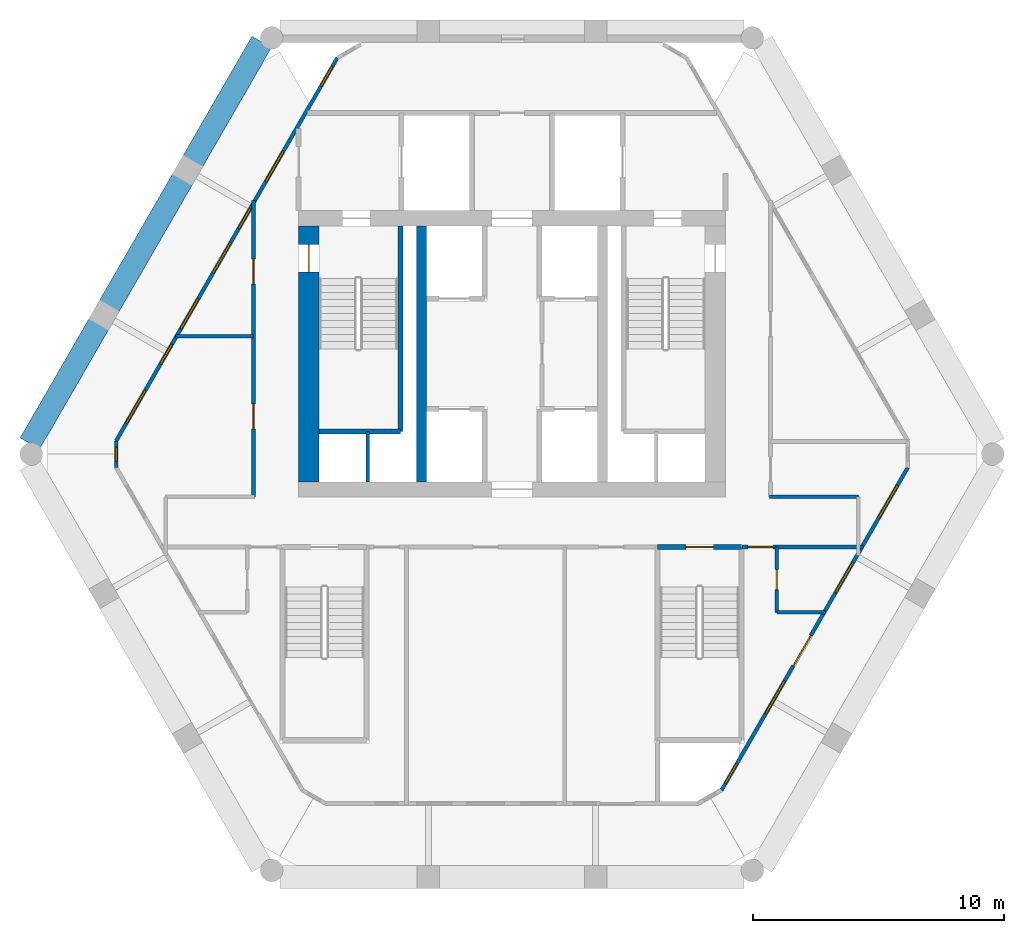
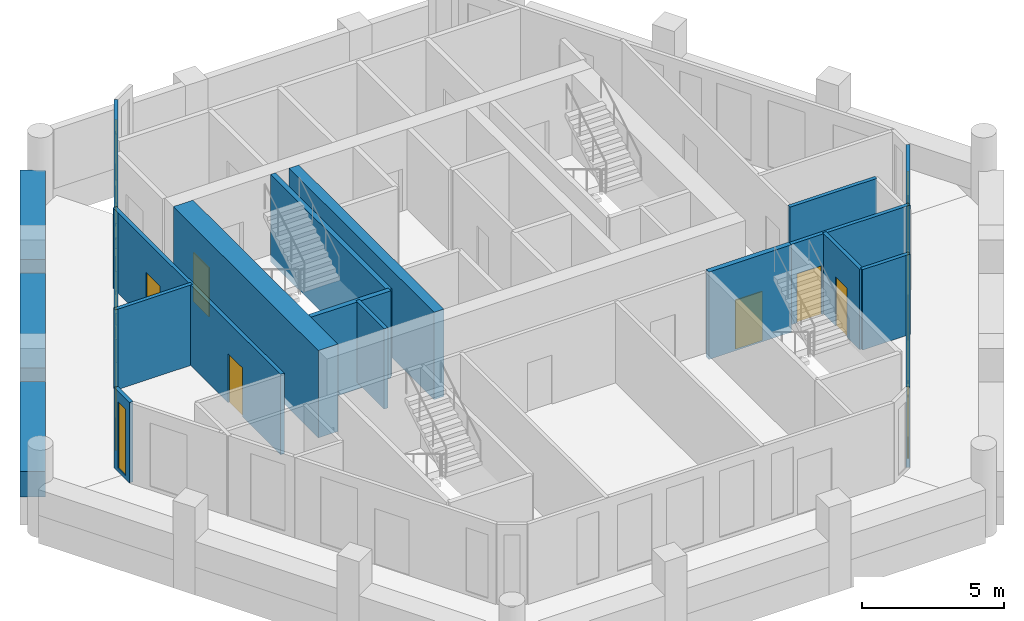
# One storey, part 3 of 6: 18 walls, 12 windows, 7 doors, 19 openings.
"""IFC4 building model written with IfcOpenShell, lengths in metres."""

from ifc_helpers import new_model, si_unit, direction, frame, frame_2d, origin, place, context, subcontext, project, spatial, rectangle, extrude, material, layer, layer_set, type_object, element, fill, save


model = new_model("IFC4")

# Units and contexts
model_context = context("Model", 3, precision=1e-05, world=origin(), true_north=direction((0.0, 1.0)))
body_context = subcontext(model_context, "Body", "Model", "MODEL_VIEW")
ifc_project = project(units=[si_unit("LENGTHUNIT", "METRE"), si_unit("AREAUNIT", "SQUARE_METRE"), si_unit("VOLUMEUNIT", "CUBIC_METRE"), si_unit("PLANEANGLEUNIT", "RADIAN"), si_unit("MASSUNIT", "GRAM", prefix="KILO")], contexts=[model_context])

# Site, building, storey
site_placement = place(None, origin())
site = spatial("IfcSite", under=ifc_project, at=site_placement, CompositionType="ELEMENT")
building_placement = place(site_placement, origin())
building = spatial("IfcBuilding", under=site, at=building_placement, Name="Ostrander Bayou Hotel Tower", CompositionType="ELEMENT")
storey_placement = place(building_placement, frame((0.0, 0.0, 218.25)))
storey = spatial("IfcBuildingStorey", under=building, at=storey_placement, Name="L54", CompositionType="ELEMENT", Elevation=218.25)

# Wall, opening, door
ifc_material_1 = material(Name="Concrete f'c 60 MPa", Category="concrete")
ifc_layer_1 = layer(ifc_material_1, 0.800048828125)
ifc_layer_set_1 = layer_set([ifc_layer_1], Name="CW11 core spine wall 800 mm f'c 60 MPa")
wall_type_1 = type_object("IfcWallType", Name="CW11 core spine wall 800 mm f'c 60 MPa", PredefinedType="SHEAR", material=ifc_layer_set_1)
wall_1_placement = place(storey_placement, frame((-8.10009765625, -1.10009765625, -0.300048828125), z_axis=(0.0, 0.0, 1.0), x_axis=(0.0, 1.0, 0.0)))
wall_1 = element("IfcWall", 1, at=wall_1_placement, inside=storey, type_object=wall_type_1, Name="CW11 L54 W", PredefinedType="SHEAR", context=body_context, shape_type="SweptSolid", body=[
    extrude(rectangle(XDim=10.2001953125, YDim=0.800048828125, at=frame_2d((5.10009765625, 0.0))), origin(), (0.0, 0.0, 1.0), 3.75),
])
opening_1_placement = place(wall_1_placement, frame((8.35009765625, 0.0, 0.0)))
opening_1 = element("IfcOpeningElement", 2, at=opening_1_placement, cuts=wall_1, Name="Opening T53-008", PredefinedType="OPENING", context=body_context, shape_type="SweptSolid", body=[
    extrude(rectangle(XDim=1.10009765625, YDim=2.10009765625, at=frame_2d((0.550048828125, 1.050048828125))), frame((0.0, 0.39990234375, 0.0), z_axis=(0.0, -1.0, 0.0), x_axis=(1.0, 0.0, 0.0)), (0.0, 0.0, 1.0), 0.800048828125),
])
ifc_material_2 = material(Name="Timber door leaf", Category="wood")
door_type_1 = type_object("IfcDoorType", Name="D5 stair door 1100 x 2100 mm, 90 minute", OperationType="SINGLE_SWING_LEFT", PredefinedType="DOOR", material=ifc_material_2)
door_1_placement = place(opening_1_placement, origin())
door_1 = element("IfcDoor", 3, at=door_1_placement, inside=storey, type_object=door_type_1, Name="dr:L54:008", OperationType="SINGLE_SWING_RIGHT", OverallHeight=2.10009765625, OverallWidth=1.10009765625, PredefinedType="DOOR", context=body_context, shape_type="SweptSolid", body=[
    extrude(rectangle(XDim=1.10009765625, YDim=2.10009765625, at=frame_2d((0.550048828125, 1.050048828125))), frame((0.0, 0.02490234375, 0.0), z_axis=(0.0, -1.0, 0.0), x_axis=(1.0, 0.0, 0.0)), (0.0, 0.0, 1.0), 0.050048828125),
])
fill(opening_1, door_1)

# Wall
ifc_material_3 = material(Name="Concrete f'c 60 MPa", Category="concrete")
ifc_layer_2 = layer(ifc_material_3, 0.39990234375)
ifc_layer_set_2 = layer_set([ifc_layer_2], Name="CW12 core bank wall 400 mm f'c 60 MPa")
wall_type_2 = type_object("IfcWallType", Name="CW12 core bank wall 400 mm f'c 60 MPa", PredefinedType="SHEAR", material=ifc_layer_set_2)
wall_2_placement = place(storey_placement, frame((-3.60009765625, -1.10009765625, -0.300048828125), z_axis=(0.0, 0.0, 1.0), x_axis=(0.0, 1.0, 0.0)))
element("IfcWall", 4, at=wall_2_placement, inside=storey, type_object=wall_type_2, Name="CW12 L54 CW", PredefinedType="SHEAR", context=body_context, shape_type="SweptSolid", body=[
    extrude(rectangle(XDim=10.2001953125, YDim=0.39990234375, at=frame_2d((5.10009765625, 0.0))), origin(), (0.0, 0.0, 1.0), 3.75),
])

# Wall, openings, windows
ifc_material_4 = material(Name="Aluminium framed insulated wall", Category="aluminium")
ifc_layer_3 = layer(ifc_material_4, 0.14990234375)
ifc_layer_set_3 = layer_set([ifc_layer_3], Name="GW1 glass-line wall 150 mm")
wall_type_3 = type_object("IfcWallType", Name="GW1 glass-line wall 150 mm", PredefinedType="SOLIDWALL", material=ifc_layer_set_3)
wall_3_placement = place(storey_placement, frame((-6.96142578125, 15.79248046875, 0.0), z_axis=(0.0, 0.0, 1.0), x_axis=(-0.49999710518, -0.866027075103, 0.0)))
wall_3 = element("IfcWall", 5, at=wall_3_placement, inside=storey, type_object=wall_type_3, Name="GW1 L54 NW 1", PredefinedType="SOLIDWALL", context=body_context, shape_type="SweptSolid", body=[
    extrude(rectangle(XDim=17.62060546875, YDim=0.14990234375, at=frame_2d((8.810302734375, 0.0))), origin(), (0.0, 0.0, 1.0), 3.449951171875),
])
opening_2_placement = place(wall_3_placement, frame((4.2958984375, 0.0, 0.14990234375)))
opening_2 = element("IfcOpeningElement", 6, at=opening_2_placement, cuts=wall_3, Name="Opening W14", PredefinedType="OPENING", context=body_context, shape_type="SweptSolid", body=[
    extrude(rectangle(XDim=1.39990234375, YDim=2.85009765625, at=frame_2d((0.699951171875, 1.425048828125))), frame((0.0, 0.074951171875, 0.0), z_axis=(0.0, -1.0, 0.0), x_axis=(1.0, 0.0, 0.0)), (0.0, 0.0, 1.0), 0.14990234375),
])
opening_3_placement = place(wall_3_placement, frame((6.94921875, 0.0, 0.14990234375)))
opening_3 = element("IfcOpeningElement", 7, at=opening_3_placement, cuts=wall_3, Name="Opening W18", PredefinedType="OPENING", context=body_context, shape_type="SweptSolid", body=[
    extrude(rectangle(XDim=0.89990234375, YDim=2.85009765625, at=frame_2d((0.449951171875, 1.425048828125))), frame((0.0, 0.074951171875, 0.0), z_axis=(0.0, -1.0, 0.0), x_axis=(1.0, 0.0, 0.0)), (0.0, 0.0, 1.0), 0.14990234375),
])
opening_4_placement = place(wall_3_placement, frame((8.49609375, 0.0, 0.14990234375)))
opening_4 = element("IfcOpeningElement", 8, at=opening_4_placement, cuts=wall_3, Name="Opening W14", PredefinedType="OPENING", context=body_context, shape_type="SweptSolid", body=[
    extrude(rectangle(XDim=1.39990234375, YDim=2.85009765625, at=frame_2d((0.699951171875, 1.425048828125))), frame((0.0, 0.074951171875, 0.0), z_axis=(0.0, -1.0, 0.0), x_axis=(1.0, 0.0, 0.0)), (0.0, 0.0, 1.0), 0.14990234375),
])
opening_5_placement = place(wall_3_placement, frame((13.184814453125, 0.0, 0.14990234375)))
opening_5 = element("IfcOpeningElement", 9, at=opening_5_placement, cuts=wall_3, Name="Opening W18", PredefinedType="OPENING", context=body_context, shape_type="SweptSolid", body=[
    extrude(rectangle(XDim=0.89990234375, YDim=2.85009765625, at=frame_2d((0.449951171875, 1.425048828125))), frame((0.0, 0.074951171875, 0.0), z_axis=(0.0, -1.0, 0.0), x_axis=(1.0, 0.0, 0.0)), (0.0, 0.0, 1.0), 0.14990234375),
])
opening_6_placement = place(wall_3_placement, frame((11.084716796875, 0.0, 0.14990234375)))
opening_6 = element("IfcOpeningElement", 10, at=opening_6_placement, cuts=wall_3, Name="Opening W14", PredefinedType="OPENING", context=body_context, shape_type="SweptSolid", body=[
    extrude(rectangle(XDim=1.39990234375, YDim=2.85009765625, at=frame_2d((0.699951171875, 1.425048828125))), frame((0.0, 0.074951171875, 0.0), z_axis=(0.0, -1.0, 0.0), x_axis=(1.0, 0.0, 0.0)), (0.0, 0.0, 1.0), 0.14990234375),
])
opening_7_placement = place(wall_3_placement, frame((0.39794921875, 0.0, 0.14990234375)))
opening_7 = element("IfcOpeningElement", 11, at=opening_7_placement, cuts=wall_3, Name="Opening W18", PredefinedType="OPENING", context=body_context, shape_type="SweptSolid", body=[
    extrude(rectangle(XDim=0.89990234375, YDim=2.72998046875, at=frame_2d((0.449951171875, 1.364990234375))), frame((0.0, 0.074951171875, 0.0), z_axis=(0.0, -1.0, 0.0), x_axis=(1.0, 0.0, 0.0)), (0.0, 0.0, 1.0), 0.14990234375),
])
opening_8_placement = place(wall_3_placement, frame((15.308349609375, 0.0, 0.14990234375)))
opening_8 = element("IfcOpeningElement", 12, at=opening_8_placement, cuts=wall_3, Name="Opening W4", PredefinedType="OPENING", context=body_context, shape_type="SweptSolid", body=[
    extrude(rectangle(XDim=1.5, YDim=2.72998046875, at=frame_2d((0.75, 1.364990234375))), frame((0.0, 0.074951171875, 0.0), z_axis=(0.0, -1.0, 0.0), x_axis=(1.0, 0.0, 0.0)), (0.0, 0.0, 1.0), 0.14990234375),
])
ifc_material_5 = material(Name="Aluminium and clear glass", Category="aluminium")
window_type_1 = type_object("IfcWindowType", Name="W14 fixed window 1400 mm, bath bay, zone 4", PartitioningType="SINGLE_PANEL", PredefinedType="WINDOW", material=ifc_material_5)
window_1_placement = place(opening_2_placement, origin())
window_1 = element("IfcWindow", 13, at=window_1_placement, inside=storey, type_object=window_type_1, Name="W14 L54 NW 1", OverallHeight=2.85009765625, OverallWidth=1.39990234375, PartitioningType="SINGLE_PANEL", PredefinedType="WINDOW", context=body_context, shape_type="SweptSolid", body=[
    extrude(rectangle(XDim=1.39990234375, YDim=2.85009765625, at=frame_2d((0.699951171875, 1.425048828125))), frame((0.0, 0.030029296875, 0.0), z_axis=(0.0, -1.0, 0.0), x_axis=(1.0, 0.0, 0.0)), (0.0, 0.0, 1.0), 0.06005859375),
])
fill(opening_2, window_1)
window_2_placement = place(opening_4_placement, origin())
window_2 = element("IfcWindow", 14, at=window_2_placement, inside=storey, type_object=window_type_1, Name="W14 L54 NW 2", OverallHeight=2.85009765625, OverallWidth=1.39990234375, PartitioningType="SINGLE_PANEL", PredefinedType="WINDOW", context=body_context, shape_type="SweptSolid", body=[
    extrude(rectangle(XDim=1.39990234375, YDim=2.85009765625, at=frame_2d((0.699951171875, 1.425048828125))), frame((0.0, 0.030029296875, 0.0), z_axis=(0.0, -1.0, 0.0), x_axis=(1.0, 0.0, 0.0)), (0.0, 0.0, 1.0), 0.06005859375),
])
fill(opening_4, window_2)
window_3_placement = place(opening_6_placement, origin())
window_3 = element("IfcWindow", 15, at=window_3_placement, inside=storey, type_object=window_type_1, Name="W14 L54 NW 3", OverallHeight=2.85009765625, OverallWidth=1.39990234375, PartitioningType="SINGLE_PANEL", PredefinedType="WINDOW", context=body_context, shape_type="SweptSolid", body=[
    extrude(rectangle(XDim=1.39990234375, YDim=2.85009765625, at=frame_2d((0.699951171875, 1.425048828125))), frame((0.0, 0.030029296875, 0.0), z_axis=(0.0, -1.0, 0.0), x_axis=(1.0, 0.0, 0.0)), (0.0, 0.0, 1.0), 0.06005859375),
])
fill(opening_6, window_3)
ifc_material_6 = material(Name="Aluminium and clear glass", Category="aluminium")
window_type_2 = type_object("IfcWindowType", Name="W18 window 900 mm, zone 4", PartitioningType="SINGLE_PANEL", PredefinedType="WINDOW", material=ifc_material_6)
window_4_placement = place(opening_3_placement, origin())
window_4 = element("IfcWindow", 16, at=window_4_placement, inside=storey, type_object=window_type_2, Name="W18 L54 NW 2", OverallHeight=2.85009765625, OverallWidth=0.89990234375, PartitioningType="SINGLE_PANEL", PredefinedType="WINDOW", context=body_context, shape_type="SweptSolid", body=[
    extrude(rectangle(XDim=0.89990234375, YDim=2.85009765625, at=frame_2d((0.449951171875, 1.425048828125))), frame((0.0, 0.030029296875, 0.0), z_axis=(0.0, -1.0, 0.0), x_axis=(1.0, 0.0, 0.0)), (0.0, 0.0, 1.0), 0.06005859375),
])
fill(opening_3, window_4)
window_5_placement = place(opening_5_placement, origin())
window_5 = element("IfcWindow", 17, at=window_5_placement, inside=storey, type_object=window_type_2, Name="W18 L54 NW 3", OverallHeight=2.85009765625, OverallWidth=0.89990234375, PartitioningType="SINGLE_PANEL", PredefinedType="WINDOW", context=body_context, shape_type="SweptSolid", body=[
    extrude(rectangle(XDim=0.89990234375, YDim=2.85009765625, at=frame_2d((0.449951171875, 1.425048828125))), frame((0.0, 0.030029296875, 0.0), z_axis=(0.0, -1.0, 0.0), x_axis=(1.0, 0.0, 0.0)), (0.0, 0.0, 1.0), 0.06005859375),
])
fill(opening_5, window_5)
window_6_placement = place(opening_7_placement, origin())
window_6 = element("IfcWindow", 18, at=window_6_placement, inside=storey, type_object=window_type_2, Name="W18 L54 NW E11", OverallHeight=2.72998046875, OverallWidth=0.89990234375, PartitioningType="SINGLE_PANEL", PredefinedType="WINDOW", context=body_context, shape_type="SweptSolid", body=[
    extrude(rectangle(XDim=0.89990234375, YDim=2.72998046875, at=frame_2d((0.449951171875, 1.364990234375))), frame((0.0, 0.030029296875, 0.0), z_axis=(0.0, -1.0, 0.0), x_axis=(1.0, 0.0, 0.0)), (0.0, 0.0, 1.0), 0.06005859375),
])
fill(opening_7, window_6)
ifc_material_7 = material(Name="Aluminium and clear glass", Category="aluminium")
window_type_3 = type_object("IfcWindowType", Name="W4 fixed window 1500 mm, zone 4", PartitioningType="SINGLE_PANEL", PredefinedType="WINDOW", material=ifc_material_7)
window_7_placement = place(opening_8_placement, origin())
window_7 = element("IfcWindow", 19, at=window_7_placement, inside=storey, type_object=window_type_3, Name="W4 L54 NW E21", OverallHeight=2.72998046875, OverallWidth=1.5, PartitioningType="SINGLE_PANEL", PredefinedType="WINDOW", context=body_context, shape_type="SweptSolid", body=[
    extrude(rectangle(XDim=1.5, YDim=2.72998046875, at=frame_2d((0.75, 1.364990234375))), frame((0.0, 0.030029296875, 0.0), z_axis=(0.0, -1.0, 0.0), x_axis=(1.0, 0.0, 0.0)), (0.0, 0.0, 1.0), 0.06005859375),
])
fill(opening_8, window_7)

# Wall, openings, door, windows
wall_4_placement = place(storey_placement, frame((8.346923828125, -13.392578125, 0.0), z_axis=(0.0, 0.0, 1.0), x_axis=(0.500000919504, 0.866024872908, 0.0)))
wall_4 = element("IfcWall", 20, at=wall_4_placement, inside=storey, type_object=wall_type_3, Name="GW1 L54 SE 1", PredefinedType="SOLIDWALL", context=body_context, shape_type="SweptSolid", body=[
    extrude(rectangle(XDim=14.849609375, YDim=0.14990234375, at=frame_2d((7.4248046875, 0.0))), origin(), (0.0, 0.0, 1.0), 3.449951171875),
])
opening_9_placement = place(wall_4_placement, frame((3.524658203125, 0.0, 0.14990234375)))
opening_9 = element("IfcOpeningElement", 21, at=opening_9_placement, cuts=wall_4, Name="Opening W4", PredefinedType="OPENING", context=body_context, shape_type="SweptSolid", body=[
    extrude(rectangle(XDim=1.5, YDim=2.85009765625, at=frame_2d((0.75, 1.425048828125))), frame((0.0, 0.074951171875, 0.0), z_axis=(0.0, -1.0, 0.0), x_axis=(1.0, 0.0, 0.0)), (0.0, 0.0, 1.0), 0.14990234375),
])
opening_10_placement = place(wall_4_placement, frame((5.724609375, 0.0, 0.0)))
opening_10 = element("IfcOpeningElement", 22, at=opening_10_placement, cuts=wall_4, Name="Opening T53-802", PredefinedType="OPENING", context=body_context, shape_type="SweptSolid", body=[
    extrude(rectangle(XDim=1.39990234375, YDim=2.39990234375, at=frame_2d((0.699951171875, 1.199951171875))), frame((0.0, 0.074951171875, 0.0), z_axis=(0.0, -1.0, 0.0), x_axis=(1.0, 0.0, 0.0)), (0.0, 0.0, 1.0), 0.14990234375),
])
opening_11_placement = place(wall_4_placement, frame((9.07763671875, 0.0, 0.14990234375)))
opening_11 = element("IfcOpeningElement", 23, at=opening_11_placement, cuts=wall_4, Name="Opening W14", PredefinedType="OPENING", context=body_context, shape_type="SweptSolid", body=[
    extrude(rectangle(XDim=1.39990234375, YDim=2.85009765625, at=frame_2d((0.699951171875, 1.425048828125))), frame((0.0, 0.074951171875, 0.0), z_axis=(0.0, -1.0, 0.0), x_axis=(1.0, 0.0, 0.0)), (0.0, 0.0, 1.0), 0.14990234375),
])
opening_12_placement = place(wall_4_placement, frame((0.31787109375, 0.0, 0.14990234375)))
opening_12 = element("IfcOpeningElement", 24, at=opening_12_placement, cuts=wall_4, Name="Opening W18", PredefinedType="OPENING", context=body_context, shape_type="SweptSolid", body=[
    extrude(rectangle(XDim=0.89990234375, YDim=2.72998046875, at=frame_2d((0.449951171875, 1.364990234375))), frame((0.0, 0.074951171875, 0.0), z_axis=(0.0, -1.0, 0.0), x_axis=(1.0, 0.0, 0.0)), (0.0, 0.0, 1.0), 0.14990234375),
])
opening_13_placement = place(wall_4_placement, frame((12.537109375, 0.0, 0.14990234375)))
opening_13 = element("IfcOpeningElement", 25, at=opening_13_placement, cuts=wall_4, Name="Opening W4", PredefinedType="OPENING", context=body_context, shape_type="SweptSolid", body=[
    extrude(rectangle(XDim=1.5, YDim=2.72998046875, at=frame_2d((0.75, 1.364990234375))), frame((0.0, 0.074951171875, 0.0), z_axis=(0.0, -1.0, 0.0), x_axis=(1.0, 0.0, 0.0)), (0.0, 0.0, 1.0), 0.14990234375),
])
ifc_material_8 = material(Name="Aluminium and clear glass", Category="aluminium")
door_type_2 = type_object("IfcDoorType", Name="SD4 sliding glass door 1400 mm, zone 4", OperationType="SLIDING_TO_LEFT", PredefinedType="DOOR", material=ifc_material_8)
door_2_placement = place(opening_10_placement, origin())
door_2 = element("IfcDoor", 26, at=door_2_placement, inside=storey, type_object=door_type_2, Name="SD4 L54 SE 1", OperationType="SLIDING_TO_LEFT", OverallHeight=2.39990234375, OverallWidth=1.39990234375, PredefinedType="DOOR", context=body_context, shape_type="SweptSolid", body=[
    extrude(rectangle(XDim=1.39990234375, YDim=2.39990234375, at=frame_2d((0.699951171875, 1.199951171875))), frame((0.0, 0.02490234375, 0.0), z_axis=(0.0, -1.0, 0.0), x_axis=(1.0, 0.0, 0.0)), (0.0, 0.0, 1.0), 0.050048828125),
])
fill(opening_10, door_2)
window_8_placement = place(opening_11_placement, origin())
window_8 = element("IfcWindow", 27, at=window_8_placement, inside=storey, type_object=window_type_1, Name="W14 L54 SE 2", OverallHeight=2.85009765625, OverallWidth=1.39990234375, PartitioningType="SINGLE_PANEL", PredefinedType="WINDOW", context=body_context, shape_type="SweptSolid", body=[
    extrude(rectangle(XDim=1.39990234375, YDim=2.85009765625, at=frame_2d((0.699951171875, 1.425048828125))), frame((0.0, 0.030029296875, 0.0), z_axis=(0.0, -1.0, 0.0), x_axis=(1.0, 0.0, 0.0)), (0.0, 0.0, 1.0), 0.06005859375),
])
fill(opening_11, window_8)
window_9_placement = place(opening_12_placement, origin())
window_9 = element("IfcWindow", 28, at=window_9_placement, inside=storey, type_object=window_type_2, Name="W18 L54 SE E11", OverallHeight=2.72998046875, OverallWidth=0.89990234375, PartitioningType="SINGLE_PANEL", PredefinedType="WINDOW", context=body_context, shape_type="SweptSolid", body=[
    extrude(rectangle(XDim=0.89990234375, YDim=2.72998046875, at=frame_2d((0.449951171875, 1.364990234375))), frame((0.0, 0.030029296875, 0.0), z_axis=(0.0, -1.0, 0.0), x_axis=(1.0, 0.0, 0.0)), (0.0, 0.0, 1.0), 0.06005859375),
])
fill(opening_12, window_9)
window_10_placement = place(opening_9_placement, origin())
window_10 = element("IfcWindow", 29, at=window_10_placement, inside=storey, type_object=window_type_3, Name="W4 L54 SE 1", OverallHeight=2.85009765625, OverallWidth=1.5, PartitioningType="SINGLE_PANEL", PredefinedType="WINDOW", context=body_context, shape_type="SweptSolid", body=[
    extrude(rectangle(XDim=1.5, YDim=2.85009765625, at=frame_2d((0.75, 1.425048828125))), frame((0.0, 0.030029296875, 0.0), z_axis=(0.0, -1.0, 0.0), x_axis=(1.0, 0.0, 0.0)), (0.0, 0.0, 1.0), 0.06005859375),
])
fill(opening_9, window_10)
window_11_placement = place(opening_13_placement, origin())
window_11 = element("IfcWindow", 30, at=window_11_placement, inside=storey, type_object=window_type_3, Name="W4 L54 SE E21", OverallHeight=2.72998046875, OverallWidth=1.5, PartitioningType="SINGLE_PANEL", PredefinedType="WINDOW", context=body_context, shape_type="SweptSolid", body=[
    extrude(rectangle(XDim=1.5, YDim=2.72998046875, at=frame_2d((0.75, 1.364990234375))), frame((0.0, 0.030029296875, 0.0), z_axis=(0.0, -1.0, 0.0), x_axis=(1.0, 0.0, 0.0)), (0.0, 0.0, 1.0), 0.06005859375),
])
fill(opening_13, window_11)

# Wall, opening, window
wall_5_placement = place(storey_placement, frame((-15.771728515625, 0.532470703125, 0.0), z_axis=(0.0, 0.0, 1.0), x_axis=(0.0, -1.0, 0.0)))
wall_5 = element("IfcWall", 31, at=wall_5_placement, inside=storey, type_object=wall_type_3, Name="GW1 L54 corner 2", PredefinedType="SOLIDWALL", context=body_context, shape_type="SweptSolid", body=[
    extrude(rectangle(XDim=1.06494140625, YDim=0.14990234375, at=frame_2d((0.532470703125, 0.0))), origin(), (0.0, 0.0, 1.0), 3.449951171875),
])
opening_14_placement = place(wall_5_placement, frame((0.257568359375, 0.0, 0.14990234375)))
opening_14 = element("IfcOpeningElement", 32, at=opening_14_placement, cuts=wall_5, Name="Opening W19", PredefinedType="OPENING", context=body_context, shape_type="SweptSolid", body=[
    extrude(rectangle(XDim=0.550048828125, YDim=2.85009765625, at=frame_2d((0.27490234375, 1.425048828125))), frame((0.0, 0.074951171875, 0.0), z_axis=(0.0, -1.0, 0.0), x_axis=(1.0, 0.0, 0.0)), (0.0, 0.0, 1.0), 0.14990234375),
])
ifc_material_9 = material(Name="Aluminium and clear glass", Category="aluminium")
window_type_4 = type_object("IfcWindowType", Name="W19 corner window 550 mm", PartitioningType="SINGLE_PANEL", PredefinedType="WINDOW", material=ifc_material_9)
window_12_placement = place(opening_14_placement, origin())
window_12 = element("IfcWindow", 33, at=window_12_placement, inside=storey, type_object=window_type_4, Name="W19 L54 corner 2", OverallHeight=2.85009765625, OverallWidth=0.550048828125, PartitioningType="SINGLE_PANEL", PredefinedType="WINDOW", context=body_context, shape_type="SweptSolid", body=[
    extrude(rectangle(XDim=0.550048828125, YDim=2.85009765625, at=frame_2d((0.27490234375, 1.425048828125))), frame((0.0, 0.030029296875, 0.0), z_axis=(0.0, -1.0, 0.0), x_axis=(1.0, 0.0, 0.0)), (0.0, 0.0, 1.0), 0.06005859375),
])
fill(opening_14, window_12)

# Walls
ifc_material_10 = material(Name="Concrete f'c 40 MPa", Category="concrete")
ifc_layer_4 = layer(ifc_material_10, 0.89990234375)
ifc_layer_set_4 = layer_set([ifc_layer_4], Name="PA1 stone-faced parapet 900 mm")
wall_type_4 = type_object("IfcWallType", Name="PA1 stone-faced parapet 900 mm", PredefinedType="PARAPET", material=ifc_layer_set_4)
wall_6_placement = place(storey_placement, frame((-9.971923828125, 16.427978515625, 0.0), z_axis=(0.0, 0.0, 1.0), x_axis=(-0.50000722722, -0.866021231107, 0.0)))
element("IfcWall", 34, at=wall_6_placement, inside=storey, type_object=wall_type_4, Name="PA1 L54 NW-1", PredefinedType="PARAPET", context=body_context, shape_type="SweptSolid", body=[
    extrude(rectangle(XDim=5.49169921875, YDim=0.89990234375, at=frame_2d((2.745849609375, 0.0))), origin(), (0.0, 0.0, 1.0), 1.10009765625),
])
wall_7_placement = place(storey_placement, frame((-13.1376953125, 10.944580078125, 0.0), z_axis=(0.0, 0.0, 1.0), x_axis=(-0.500015433515, -0.866016493057, 0.0)))
element("IfcWall", 35, at=wall_7_placement, inside=storey, type_object=wall_type_4, Name="PA1 L54 NW-2", PredefinedType="PARAPET", context=body_context, shape_type="SweptSolid", body=[
    extrude(rectangle(XDim=5.818603515625, YDim=0.89990234375, at=frame_2d((2.9091796875, 0.0))), origin(), (0.0, 0.0, 1.0), 1.10009765625),
])
wall_8_placement = place(storey_placement, frame((-16.46728515625, 5.177978515625, 0.0), z_axis=(0.0, 0.0, 1.0), x_axis=(-0.50000722722, -0.866021231107, 0.0)))
element("IfcWall", 36, at=wall_8_placement, inside=storey, type_object=wall_type_4, Name="PA1 L54 NW-3", PredefinedType="PARAPET", context=body_context, shape_type="SweptSolid", body=[
    extrude(rectangle(XDim=5.49169921875, YDim=0.89990234375, at=frame_2d((2.745849609375, 0.0))), origin(), (0.0, 0.0, 1.0), 1.10009765625),
])
ifc_material_11 = material(Name="Gypsum board partition", Category="finish")
ifc_layer_5 = layer(ifc_material_11, 0.14990234375)
ifc_layer_set_5 = layer_set([ifc_layer_5], Name="PT7 riser wall 150 mm, 2 hour")
wall_type_5 = type_object("IfcWallType", Name="PT7 riser wall 150 mm, 2 hour", PredefinedType="PARTITIONING", material=ifc_layer_set_5)
wall_9_placement = place(storey_placement, frame((-5.75, -1.10009765625, 0.0), z_axis=(0.0, 0.0, 1.0), x_axis=(0.0, 1.0, 0.0)))
element("IfcWall", 37, at=wall_9_placement, inside=storey, type_object=wall_type_5, Name="cs:L54:011", PredefinedType="PARTITIONING", context=body_context, shape_type="SweptSolid", body=[
    extrude(rectangle(XDim=2.0, YDim=0.14990234375, at=frame_2d((1.0, 0.0))), origin(), (0.0, 0.0, 1.0), 3.449951171875),
])
ifc_material_12 = material(Name="Gypsum board partition", Category="finish")
ifc_layer_6 = layer(ifc_material_12, 0.14990234375)
ifc_layer_set_6 = layer_set([ifc_layer_6], Name="PT8 service band wall 150 mm, 1 hour")
wall_type_6 = type_object("IfcWallType", Name="PT8 service band wall 150 mm, 1 hour", PredefinedType="PARTITIONING", material=ifc_layer_set_6)
wall_10_placement = place(storey_placement, frame((10.550048828125, -6.300048828125, 0.0), z_axis=(0.0, 0.0, 1.0), x_axis=(1.0, 0.0, 0.0)))
element("IfcWall", 38, at=wall_10_placement, inside=storey, type_object=wall_type_6, Name="gw:L54:002", PredefinedType="PARTITIONING", context=body_context, shape_type="SweptSolid", body=[
    extrude(rectangle(XDim=1.94384765625, YDim=0.14990234375, at=frame_2d((0.971923828125, 0.0))), origin(), (0.0, 0.0, 1.0), 3.449951171875),
])

# Wall, opening, door
wall_11_placement = place(storey_placement, frame((9.159912109375, -3.699951171875, 0.0), z_axis=(0.0, 0.0, 1.0), x_axis=(1.0, 0.0, 0.0)))
wall_11 = element("IfcWall", 39, at=wall_11_placement, inside=storey, type_object=wall_type_6, Name="gw:L54:005", PredefinedType="PARTITIONING", context=body_context, shape_type="SweptSolid", body=[
    extrude(rectangle(XDim=4.835205078125, YDim=0.14990234375, at=frame_2d((2.41748046875, 0.0))), origin(), (0.0, 0.0, 1.0), 3.449951171875),
])
opening_15_placement = place(wall_11_placement, frame((0.239990234375, 0.0, 0.0)))
opening_15 = element("IfcOpeningElement", 40, at=opening_15_placement, cuts=wall_11, Name="Opening T53-405", PredefinedType="OPENING", context=body_context, shape_type="SweptSolid", body=[
    extrude(rectangle(XDim=1.0, YDim=2.10009765625, at=frame_2d((0.5, 1.050048828125))), frame((0.0, 0.074951171875, 0.0), z_axis=(0.0, -1.0, 0.0), x_axis=(1.0, 0.0, 0.0)), (0.0, 0.0, 1.0), 0.14990234375),
])
ifc_material_13 = material(Name="Timber door leaf", Category="wood")
door_type_3 = type_object("IfcDoorType", Name="D1 guest room door 1000 x 2100 mm, 30 minute", OperationType="SINGLE_SWING_LEFT", PredefinedType="DOOR", material=ifc_material_13)
door_3_placement = place(opening_15_placement, origin())
door_3 = element("IfcDoor", 41, at=door_3_placement, inside=storey, type_object=door_type_3, Name="dr:L54:405", OperationType="SINGLE_SWING_LEFT", OverallHeight=2.10009765625, OverallWidth=1.0, PredefinedType="DOOR", context=body_context, shape_type="SweptSolid", body=[
    extrude(rectangle(XDim=1.0, YDim=2.10009765625, at=frame_2d((0.5, 1.050048828125))), frame((0.0, 0.02490234375, 0.0), z_axis=(0.0, -1.0, 0.0), x_axis=(1.0, 0.0, 0.0)), (0.0, 0.0, 1.0), 0.050048828125),
])
fill(opening_15, door_3)

# Walls
wall_12_placement = place(storey_placement, frame((10.260009765625, -1.699951171875, 0.0), z_axis=(0.0, 0.0, 1.0), x_axis=(1.0, 0.0, 0.0)))
element("IfcWall", 42, at=wall_12_placement, inside=storey, type_object=wall_type_6, Name="gw:L54:007", PredefinedType="PARTITIONING", context=body_context, shape_type="SweptSolid", body=[
    extrude(rectangle(XDim=3.5400390625, YDim=0.14990234375, at=frame_2d((1.77001953125, 0.0))), origin(), (0.0, 0.0, 1.0), 3.449951171875),
])
wall_13_placement = place(storey_placement, frame((-13.41796875, 4.699951171875, 0.0), z_axis=(0.0, 0.0, 1.0), x_axis=(1.0, 0.0, 0.0)))
element("IfcWall", 43, at=wall_13_placement, inside=storey, type_object=wall_type_6, Name="gw:L54:009", PredefinedType="PARTITIONING", context=body_context, shape_type="SweptSolid", body=[
    extrude(rectangle(XDim=3.117919921875, YDim=0.14990234375, at=frame_2d((1.55908203125, 0.0))), origin(), (0.0, 0.0, 1.0), 3.449951171875),
])

# Wall, opening, door
wall_14_placement = place(storey_placement, frame((10.550048828125, -6.300048828125, 0.0), z_axis=(0.0, 0.0, 1.0), x_axis=(0.0, 1.0, 0.0)))
wall_14 = element("IfcWall", 44, at=wall_14_placement, inside=storey, type_object=wall_type_6, Name="gw:L54:011", PredefinedType="PARTITIONING", context=body_context, shape_type="SweptSolid", body=[
    extrude(rectangle(XDim=2.60009765625, YDim=0.14990234375, at=frame_2d((1.300048828125, 0.0))), origin(), (0.0, 0.0, 1.0), 3.449951171875),
])
opening_16_placement = place(wall_14_placement, frame((0.89990234375, 0.0, 0.0)))
opening_16 = element("IfcOpeningElement", 45, at=opening_16_placement, cuts=wall_14, Name="Opening T53-406", PredefinedType="OPENING", context=body_context, shape_type="SweptSolid", body=[
    extrude(rectangle(XDim=0.800048828125, YDim=2.10009765625, at=frame_2d((0.39990234375, 1.050048828125))), frame((0.0, 0.074951171875, 0.0), z_axis=(0.0, -1.0, 0.0), x_axis=(1.0, 0.0, 0.0)), (0.0, 0.0, 1.0), 0.14990234375),
])
ifc_material_14 = material(Name="Timber door leaf", Category="wood")
door_type_4 = type_object("IfcDoorType", Name="D2 bathroom door 800 x 2100 mm", OperationType="SINGLE_SWING_LEFT", PredefinedType="DOOR", material=ifc_material_14)
door_4_placement = place(opening_16_placement, origin())
door_4 = element("IfcDoor", 46, at=door_4_placement, inside=storey, type_object=door_type_4, Name="dr:L54:406", OperationType="SINGLE_SWING_RIGHT", OverallHeight=2.10009765625, OverallWidth=0.800048828125, PredefinedType="DOOR", context=body_context, shape_type="SweptSolid", body=[
    extrude(rectangle(XDim=0.800048828125, YDim=2.10009765625, at=frame_2d((0.39990234375, 1.050048828125))), frame((0.0, 0.02490234375, 0.0), z_axis=(0.0, -1.0, 0.0), x_axis=(1.0, 0.0, 0.0)), (0.0, 0.0, 1.0), 0.050048828125),
])
fill(opening_16, door_4)

# Wall, openings, doors
wall_15_placement = place(storey_placement, frame((-10.300048828125, -1.699951171875, 0.0), z_axis=(0.0, 0.0, 1.0), x_axis=(0.0, 1.0, 0.0)))
wall_15 = element("IfcWall", 47, at=wall_15_placement, inside=storey, type_object=wall_type_6, Name="gw:L54:016", PredefinedType="PARTITIONING", context=body_context, shape_type="SweptSolid", body=[
    extrude(rectangle(XDim=11.800048828125, YDim=0.14990234375, at=frame_2d((5.89990234375, 0.0))), origin(), (0.0, 0.0, 1.0), 3.449951171875),
])
opening_17_placement = place(wall_15_placement, frame((2.699951171875, 0.0, 0.0)))
opening_17 = element("IfcOpeningElement", 48, at=opening_17_placement, cuts=wall_15, Name="Opening T53-407", PredefinedType="OPENING", context=body_context, shape_type="SweptSolid", body=[
    extrude(rectangle(XDim=1.0, YDim=2.10009765625, at=frame_2d((0.5, 1.050048828125))), frame((0.0, 0.074951171875, 0.0), z_axis=(0.0, -1.0, 0.0), x_axis=(1.0, 0.0, 0.0)), (0.0, 0.0, 1.0), 0.14990234375),
])
opening_18_placement = place(wall_15_placement, frame((8.47998046875, 0.0, 0.0)))
opening_18 = element("IfcOpeningElement", 49, at=opening_18_placement, cuts=wall_15, Name="Opening T53-408", PredefinedType="OPENING", context=body_context, shape_type="SweptSolid", body=[
    extrude(rectangle(XDim=1.0, YDim=2.10009765625, at=frame_2d((0.5, 1.050048828125))), frame((0.0, 0.074951171875, 0.0), z_axis=(0.0, -1.0, 0.0), x_axis=(1.0, 0.0, 0.0)), (0.0, 0.0, 1.0), 0.14990234375),
])
ifc_material_15 = material(Name="Timber door leaf", Category="wood")
door_type_5 = type_object("IfcDoorType", Name="D15 room door 1000 x 2100 mm", OperationType="SINGLE_SWING_LEFT", PredefinedType="DOOR", material=ifc_material_15)
door_5_placement = place(opening_17_placement, origin())
door_5 = element("IfcDoor", 50, at=door_5_placement, inside=storey, type_object=door_type_5, Name="dr:L54:407", OperationType="SINGLE_SWING_RIGHT", OverallHeight=2.10009765625, OverallWidth=1.0, PredefinedType="DOOR", context=body_context, shape_type="SweptSolid", body=[
    extrude(rectangle(XDim=1.0, YDim=2.10009765625, at=frame_2d((0.5, 1.050048828125))), frame((0.0, 0.02490234375, 0.0), z_axis=(0.0, -1.0, 0.0), x_axis=(1.0, 0.0, 0.0)), (0.0, 0.0, 1.0), 0.050048828125),
])
fill(opening_17, door_5)
ifc_material_16 = material(Name="Timber door leaf", Category="wood")
door_type_6 = type_object("IfcDoorType", Name="D9 service door 1000 x 2100 mm, 30 minute", OperationType="SINGLE_SWING_LEFT", PredefinedType="DOOR", material=ifc_material_16)
door_6_placement = place(opening_18_placement, origin())
door_6 = element("IfcDoor", 51, at=door_6_placement, inside=storey, type_object=door_type_6, Name="dr:L54:408", OperationType="SINGLE_SWING_LEFT", OverallHeight=2.10009765625, OverallWidth=1.0, PredefinedType="DOOR", context=body_context, shape_type="SweptSolid", body=[
    extrude(rectangle(XDim=1.0, YDim=2.10009765625, at=frame_2d((0.5, 1.050048828125))), frame((0.0, 0.02490234375, 0.0), z_axis=(0.0, -1.0, 0.0), x_axis=(1.0, 0.0, 0.0)), (0.0, 0.0, 1.0), 0.050048828125),
])
fill(opening_18, door_6)

# Walls
ifc_material_17 = material(Name="Concrete f'c 45 MPa", Category="concrete")
ifc_layer_7 = layer(ifc_material_17, 0.199951171875)
ifc_layer_set_7 = layer_set([ifc_layer_7], Name="SW5 stair enclosure wall 200 mm f'c 45 MPa")
wall_type_7 = type_object("IfcWallType", Name="SW5 stair enclosure wall 200 mm f'c 45 MPa", PredefinedType="SOLIDWALL", material=ifc_layer_set_7)
wall_16_placement = place(storey_placement, frame((-4.449951171875, 0.89990234375, -0.300048828125), z_axis=(0.0, 0.0, 1.0), x_axis=(0.0, 1.0, 0.0)))
element("IfcWall", 52, at=wall_16_placement, inside=storey, type_object=wall_type_7, Name="cs:L54:009", PredefinedType="SOLIDWALL", context=body_context, shape_type="SweptSolid", body=[
    extrude(rectangle(XDim=8.2001953125, YDim=0.199951171875, at=frame_2d((4.10009765625, 0.0))), origin(), (0.0, 0.0, 1.0), 3.75),
])
wall_17_placement = place(storey_placement, frame((-7.699951171875, 0.89990234375, -0.300048828125), z_axis=(0.0, 0.0, 1.0), x_axis=(1.0, 0.0, 0.0)))
element("IfcWall", 53, at=wall_17_placement, inside=storey, type_object=wall_type_7, Name="cs:L54:010", PredefinedType="SOLIDWALL", context=body_context, shape_type="SweptSolid", body=[
    extrude(rectangle(XDim=3.25, YDim=0.199951171875, at=frame_2d((1.625, 0.0))), origin(), (0.0, 0.0, 1.0), 3.75),
])

# Wall, opening, door
wall_18_placement = place(storey_placement, frame((5.800048828125, -3.699951171875, -0.300048828125), z_axis=(0.0, 0.0, 1.0), x_axis=(1.0, 0.0, 0.0)))
wall_18 = element("IfcWall", 54, at=wall_18_placement, inside=storey, type_object=wall_type_7, Name="cs:L54:015", PredefinedType="SOLIDWALL", context=body_context, shape_type="SweptSolid", body=[
    extrude(rectangle(XDim=3.349853515625, YDim=0.199951171875, at=frame_2d((1.6748046875, 0.0))), origin(), (0.0, 0.0, 1.0), 3.75),
])
opening_19_placement = place(wall_18_placement, frame((1.125, 0.0, 0.0)))
opening_19 = element("IfcOpeningElement", 55, at=opening_19_placement, cuts=wall_18, Name="Opening T53-011", PredefinedType="OPENING", context=body_context, shape_type="SweptSolid", body=[
    extrude(rectangle(XDim=1.10009765625, YDim=2.10009765625, at=frame_2d((0.550048828125, 1.050048828125))), frame((0.0, 0.10009765625, 0.0), z_axis=(0.0, -1.0, 0.0), x_axis=(1.0, 0.0, 0.0)), (0.0, 0.0, 1.0), 0.199951171875),
])
door_7_placement = place(opening_19_placement, origin())
door_7 = element("IfcDoor", 56, at=door_7_placement, inside=storey, type_object=door_type_1, Name="dr:L54:011", OperationType="SINGLE_SWING_LEFT", OverallHeight=2.10009765625, OverallWidth=1.10009765625, PredefinedType="DOOR", context=body_context, shape_type="SweptSolid", body=[
    extrude(rectangle(XDim=1.10009765625, YDim=2.10009765625, at=frame_2d((0.550048828125, 1.050048828125))), frame((0.0, 0.02490234375, 0.0), z_axis=(0.0, -1.0, 0.0), x_axis=(1.0, 0.0, 0.0)), (0.0, 0.0, 1.0), 0.050048828125),
])
fill(opening_19, door_7)

save(model, "model.ifc")
